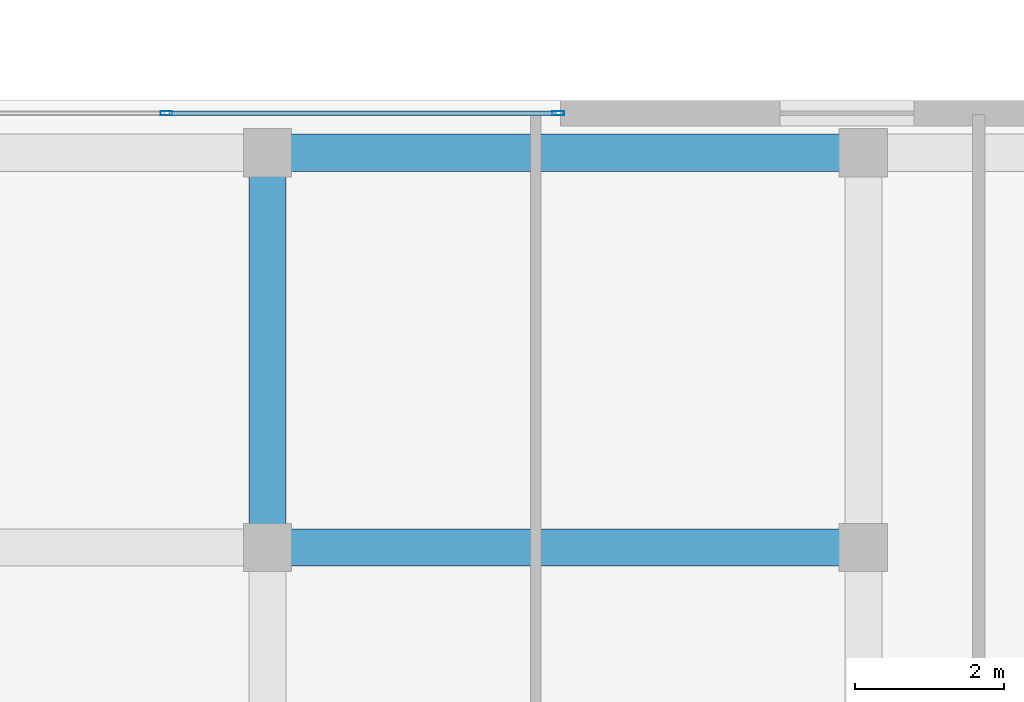
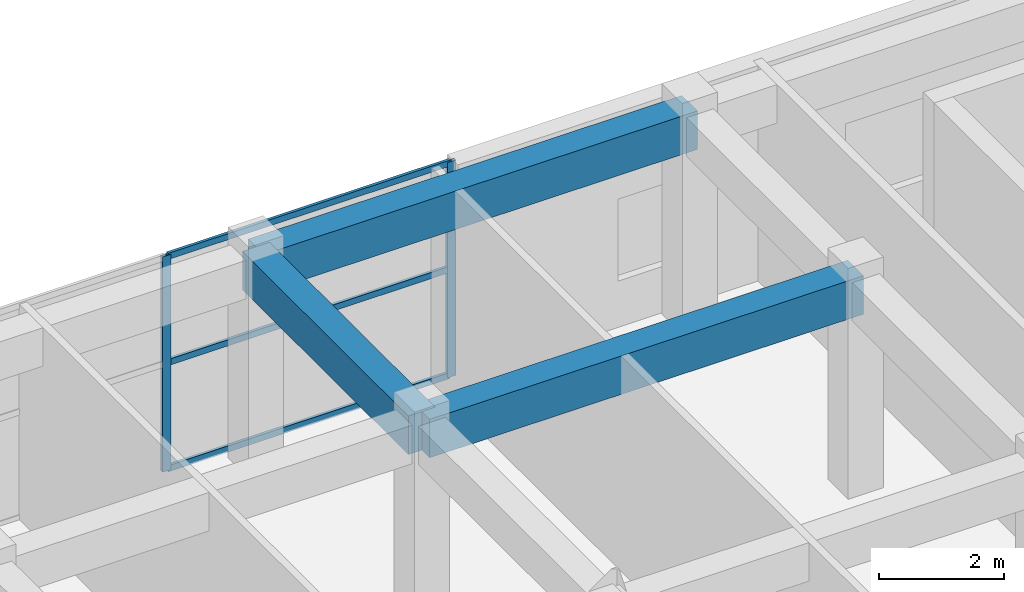
# One storey, part 16 of 26: 5 members, 3 beams, 1 element without a shape of its own.
"""IFC4 building model written with IfcOpenShell, lengths in metres."""

from ifc_helpers import new_model, si_unit, direction, frame, origin, origin_2d, place, context, subcontext, project, spatial, rectangle, hollow_rectangle, extrude, source, transform, mapped, material, layer, layer_set, material_profile, profile_set, type_object, element, aggregate, save


model = new_model("IFC4")

# Units and contexts
model_context = context("Model", 3, precision=1e-05, world=origin(), true_north=direction((0.0, 1.0)))
body_context = subcontext(model_context, "Body", "Model", "MODEL_VIEW")
ifc_project = project(units=[si_unit("LENGTHUNIT", "METRE"), si_unit("AREAUNIT", "SQUARE_METRE"), si_unit("VOLUMEUNIT", "CUBIC_METRE"), si_unit("PLANEANGLEUNIT", "RADIAN"), si_unit("MASSUNIT", "GRAM", prefix="KILO")], contexts=[model_context])

# Site, building, storey
site_placement = place(None, origin())
site = spatial("IfcSite", under=ifc_project, at=site_placement, CompositionType="ELEMENT")
building_placement = place(site_placement, origin())
building = spatial("IfcBuilding", under=site, at=building_placement, Name="Khoralis Quay Care Tower", CompositionType="ELEMENT")
storey_placement = place(building_placement, frame((0.0, 0.0, 4.5)))
storey = spatial("IfcBuildingStorey", under=building, at=storey_placement, Name="L01", CompositionType="ELEMENT", Elevation=4.5)

# Beams
ifc_material_1 = material(Name="Concrete C40/50", Category="concrete")
ifc_material_profile_1 = material_profile(ifc_material_1, rectangle(XDim=0.5, YDim=0.75, at=origin_2d()), Name="Concrete C40/50")
ifc_profile_set_1 = profile_set([ifc_material_profile_1], Name="Concrete C40/50")
beam_type = type_object("IfcBeamType", Name="BM-RC500X750", PredefinedType="BEAM", material=ifc_profile_set_1)
shared_shape_1 = source(origin(), body_context, "Body", "SweptSolid", [
    extrude(rectangle(XDim=0.5, YDim=0.75, at=origin_2d()), origin(), (0.0, 0.0, 1.0), 8.0),
])
for number, where, z_axis, x_axis, name in (
    (1, (92.0, 36.0, 3.824951171875), (1.0, 0.0, 0.0), (0.0, 1.0, 0.0), "BM-SCX-L01-27"),
    (2, (92.0, 41.300048828125, 3.824951171875), (1.0, 0.0, 0.0), (0.0, 1.0, 0.0), "BM-SCX-L01-31"),
):
    element("IfcBeam", number, at=place(storey_placement, frame(where, z_axis=z_axis, x_axis=x_axis)), inside=storey, type_object=beam_type, Name=name, PredefinedType="BEAM", context=body_context, shape_type="MappedRepresentation", body=[
        mapped(shared_shape_1, transform((0.0, 0.0, 0.0), scale=1.0)),
    ])
shared_shape_2 = source(origin(), body_context, "Body", "SweptSolid", [
    extrude(rectangle(XDim=0.5, YDim=0.75, at=origin_2d()), origin(), (0.0, 0.0, 1.0), 5.300048828125),
])
beam_placement = place(storey_placement, frame((92.0, 36.0, 3.824951171875), z_axis=(0.0, 1.0, 0.0), x_axis=(-1.0, 0.0, 0.0)))
element("IfcBeam", 3, at=beam_placement, inside=storey, type_object=beam_type, Name="BM-SCY-L01-56", PredefinedType="BEAM", context=body_context, shape_type="MappedRepresentation", body=[
    mapped(shared_shape_2, transform((0.0, 0.0, 0.0), scale=1.0)),
])

# Curtain wall, members
ifc_material_2 = material(Name="Pale anodised aluminium", Category="aluminium")
ifc_layer = layer(ifc_material_2, 0.14990234375)
ifc_layer_set = layer_set([ifc_layer], Name="Pale anodised aluminium")
curtain_wall_type = type_object("IfcCurtainWallType", Name="CW-SYS-SCHOOL", PredefinedType="NOTDEFINED", material=ifc_layer_set)
curtain_wall_placement = place(storey_placement, origin())
curtain_wall = element("IfcCurtainWall", 4, at=curtain_wall_placement, inside=storey, type_object=curtain_wall_type, Name="L01 Unitised Curtain Wall CW-SCH-L01-E3", PredefinedType="NOTDEFINED")
ifc_material_profile_2 = material_profile(ifc_material_2, hollow_rectangle(XDim=0.06005859375, YDim=0.159912109375, WallThickness=0.00390625, at=origin_2d()), Name="Pale anodised aluminium")
ifc_profile_set_2 = profile_set([ifc_material_profile_2], Name="Pale anodised aluminium")
member_type_1 = type_object("IfcMemberType", Name="CW-MUL-160", PredefinedType="MULLION", material=ifc_profile_set_2)
shared_shape_3 = source(origin(), body_context, "Body", "SweptSolid", [
    extrude(hollow_rectangle(XDim=0.06005859375, YDim=0.159912109375, WallThickness=0.00390625, at=origin_2d()), origin(), (0.0, 0.0, 1.0), 4.199951171875),
])
member_1_placement = place(storey_placement, frame((95.902099609375, 41.830078125, 0.0), z_axis=(0.0, 0.0, 1.0), x_axis=(0.0, -1.0, 0.0)))
member_1 = element("IfcMember", 5, at=member_1_placement, type_object=member_type_1, Name="CW6 mullion 1", PredefinedType="MULLION", context=body_context, shape_type="MappedRepresentation", body=[
    mapped(shared_shape_3, transform((0.0, 0.0, 0.0), scale=1.0)),
])
member_2_placement = place(storey_placement, frame((90.64404296875, 41.830078125, 0.0), z_axis=(0.0, 0.0, 1.0), x_axis=(0.0, -1.0, 0.0)))
member_2 = element("IfcMember", 6, at=member_2_placement, type_object=member_type_1, Name="CW6 mullion 2", PredefinedType="MULLION", context=body_context, shape_type="MappedRepresentation", body=[
    mapped(shared_shape_3, transform((0.0, 0.0, 0.0), scale=1.0)),
])
ifc_material_profile_3 = material_profile(ifc_material_2, hollow_rectangle(XDim=0.054931640625, YDim=0.1201171875, WallThickness=0.00390625, at=origin_2d()), Name="Pale anodised aluminium")
ifc_profile_set_3 = profile_set([ifc_material_profile_3], Name="Pale anodised aluminium")
member_type_2 = type_object("IfcMemberType", Name="CW-TRN-120", PredefinedType="USERDEFINED", material=ifc_profile_set_3)
shared_shape_4 = source(origin(), body_context, "Body", "SweptSolid", [
    extrude(hollow_rectangle(XDim=0.054931640625, YDim=0.1201171875, WallThickness=0.00390625, at=origin_2d()), origin(), (0.0, 0.0, 1.0), 5.197998046875),
])
member_3_placement = place(storey_placement, frame((95.8720703125, 41.830078125, 0.030029296875), z_axis=(-1.0, 0.0, 0.0), x_axis=(0.0, -1.0, 0.0)))
member_3 = element("IfcMember", 7, at=member_3_placement, type_object=member_type_2, Name="CW6 transom 1.1", ObjectType="TRANSOM", PredefinedType="USERDEFINED", context=body_context, shape_type="MappedRepresentation", body=[
    mapped(shared_shape_4, transform((0.0, 0.0, 0.0), scale=1.0)),
])
member_4_placement = place(storey_placement, frame((95.8720703125, 41.830078125, 2.10009765625), z_axis=(-1.0, 0.0, 0.0), x_axis=(0.0, -1.0, 0.0)))
member_4 = element("IfcMember", 8, at=member_4_placement, type_object=member_type_2, Name="CW6 transom 1.2", ObjectType="TRANSOM", PredefinedType="USERDEFINED", context=body_context, shape_type="MappedRepresentation", body=[
    mapped(shared_shape_4, transform((0.0, 0.0, 0.0), scale=1.0)),
])
member_5_placement = place(storey_placement, frame((95.8720703125, 41.830078125, 4.169921875), z_axis=(-1.0, 0.0, 0.0), x_axis=(0.0, -1.0, 0.0)))
member_5 = element("IfcMember", 9, at=member_5_placement, type_object=member_type_2, Name="CW6 transom 1.3", ObjectType="TRANSOM", PredefinedType="USERDEFINED", context=body_context, shape_type="MappedRepresentation", body=[
    mapped(shared_shape_4, transform((0.0, 0.0, 0.0), scale=1.0)),
])
aggregate(curtain_wall, [member_1, member_2, member_3, member_4, member_5])

save(model, "model.ifc")
